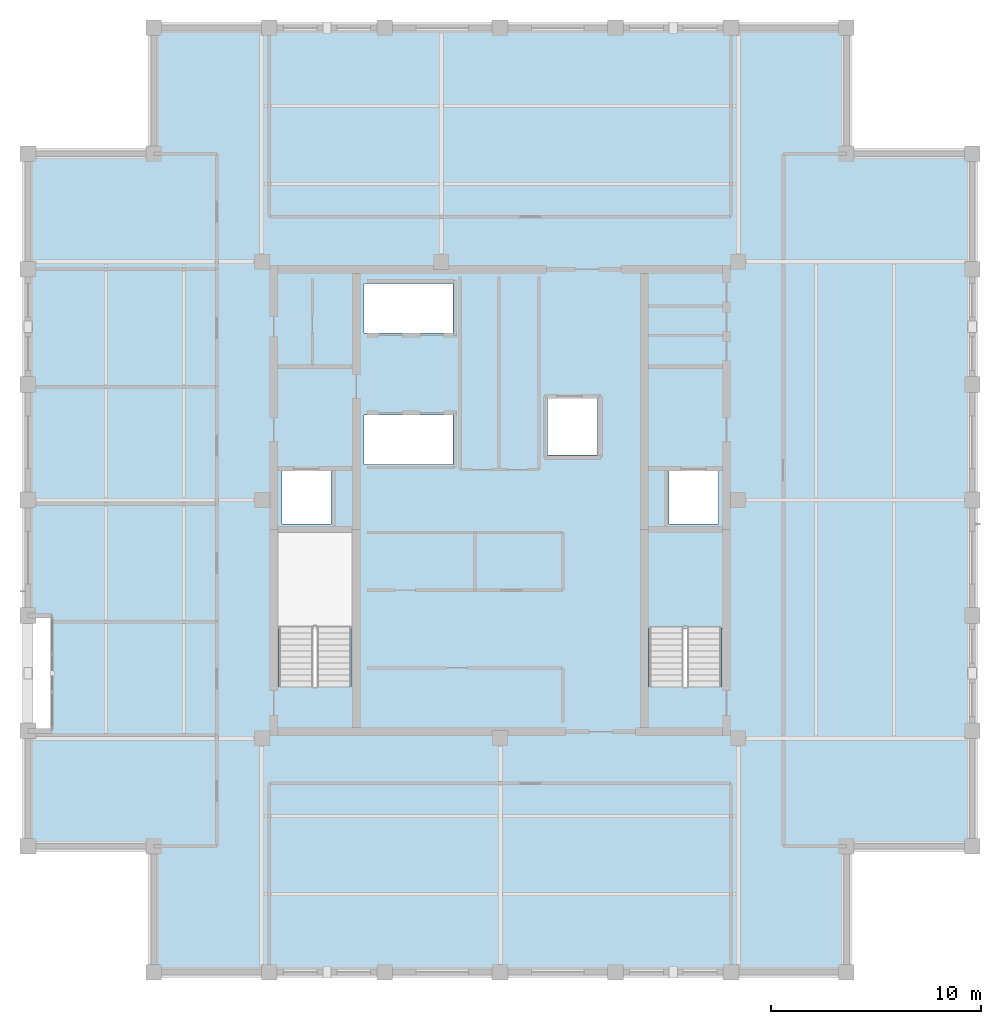
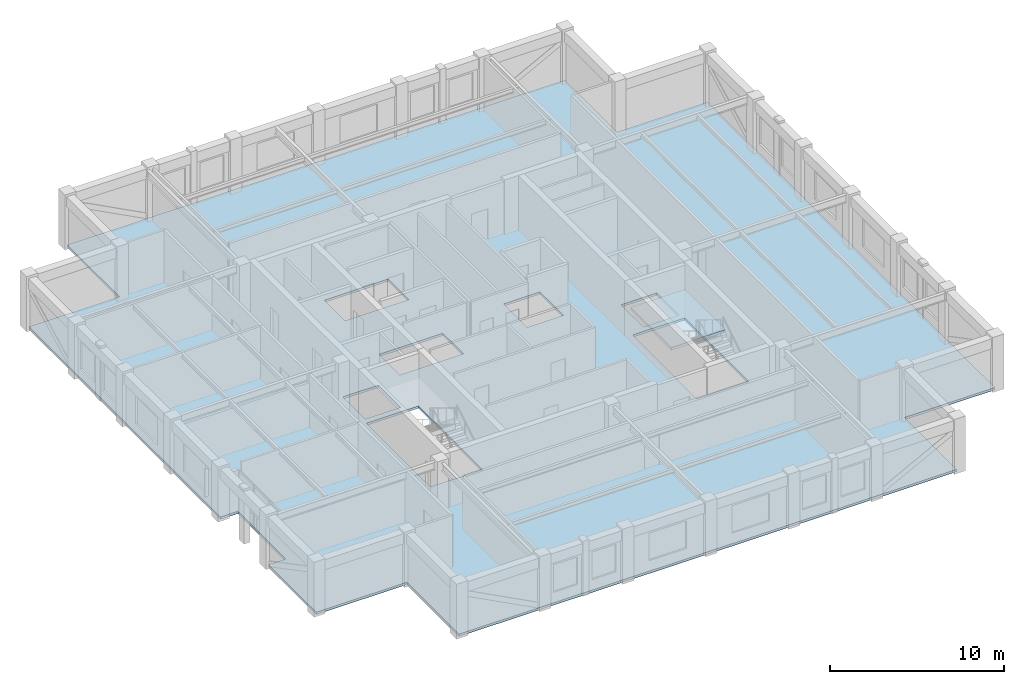
# One storey, part 7 of 13: 2 slabs, 1 element without a shape of its own.
"""IFC4 building model written with IfcOpenShell, lengths in metres."""

from ifc_helpers import new_model, si_unit, direction, frame, origin, place, context, subcontext, project, spatial, polyline, outline, extrude, material, layer, layer_set, type_object, element, aggregate, save


model = new_model("IFC4")

# Units and contexts
model_context = context("Model", 3, precision=1e-05, world=origin(), true_north=direction((0.0, 1.0)))
body_context = subcontext(model_context, "Body", "Model", "MODEL_VIEW")
ifc_project = project(units=[si_unit("LENGTHUNIT", "METRE"), si_unit("AREAUNIT", "SQUARE_METRE"), si_unit("VOLUMEUNIT", "CUBIC_METRE"), si_unit("PLANEANGLEUNIT", "RADIAN"), si_unit("MASSUNIT", "GRAM", prefix="KILO")], contexts=[model_context])

# Site, building, storey
site_placement = place(None, origin())
site = spatial("IfcSite", under=ifc_project, at=site_placement, CompositionType="ELEMENT")
building_placement = place(site_placement, origin())
building = spatial("IfcBuilding", under=site, at=building_placement, Name="Nhamokura Convention Tower", CompositionType="ELEMENT")
storey_placement = place(building_placement, frame((0.0, 0.0, 300.64990234375)))
storey = spatial("IfcBuildingStorey", under=building, at=storey_placement, Name="L74", CompositionType="ELEMENT", Elevation=300.64990234375)

# Slab
ifc_material_1 = material(Name="Concrete C40/50", Category="concrete")
ifc_layer_1 = layer(ifc_material_1, 0.1650390625)
ifc_layer_set_1 = layer_set([ifc_layer_1], Name="OfficeFloorSlab_165")
slab_type_1 = type_object("IfcSlabType", Name="OfficeFloorSlab_165", PredefinedType="FLOOR", material=ifc_layer_set_1)
slab_1_placement = place(storey_placement, frame((0.0, 0.0, -0.164794921875)))
element("IfcSlab", 1, at=slab_1_placement, inside=storey, type_object=slab_type_1, Name="L74 Structural Floor Slab", PredefinedType="FLOOR", context=body_context, shape_type="SweptSolid", body=[
    extrude(outline(polyline([(15.5, 9.5), (48.5, 9.5), (48.5, 15.5), (54.5, 15.5), (54.5, 48.5), (48.5, 48.5), (48.5, 54.5), (15.5, 54.5), (15.5, 48.5), (9.5, 48.5), (9.5, 26.5), (10.64990234375, 26.5), (10.64990234375, 21.0), (9.5, 21.0), (9.5, 15.5), (15.5, 15.5), (15.5, 9.5)]), holes=[polyline([(24.89990234375, 23.10009765625), (24.89990234375, 30.449951171875), (21.449951171875, 30.449951171875), (21.449951171875, 23.10009765625), (24.89990234375, 23.10009765625)]), polyline([(42.550048828125, 23.10009765625), (42.550048828125, 30.449951171875), (39.10009765625, 30.449951171875), (39.10009765625, 23.10009765625), (42.550048828125, 23.10009765625)]), polyline([(21.60009765625, 30.85009765625), (23.949951171875, 30.85009765625), (23.949951171875, 33.39990234375), (21.60009765625, 33.39990234375), (21.60009765625, 30.85009765625)]), polyline([(40.050048828125, 30.85009765625), (42.39990234375, 30.85009765625), (42.39990234375, 33.39990234375), (40.050048828125, 33.39990234375), (40.050048828125, 30.85009765625)]), polyline([(34.25, 34.14990234375), (36.64990234375, 34.14990234375), (36.64990234375, 36.85009765625), (34.25, 36.85009765625), (34.25, 34.14990234375)]), polyline([(25.52001953125, 33.679931640625), (29.75, 33.679931640625), (29.75, 36.050048828125), (25.52001953125, 36.050048828125), (25.52001953125, 33.679931640625)]), polyline([(25.52001953125, 39.949951171875), (29.75, 39.949951171875), (29.75, 42.320068359375), (25.52001953125, 42.320068359375), (25.52001953125, 39.949951171875)])]), origin(), (0.0, 0.0, 1.0), 0.164794921875),
])

# Stair, slab
ifc_material_2 = material(Name="Concrete C40/50", Category="concrete")
stair_type = type_object("IfcStairType", Name="TowerCoreStair_1650", PredefinedType="HALF_TURN_STAIR", material=ifc_material_2)
stair_placement = place(storey_placement, origin())
stair = element("IfcStair", 2, at=stair_placement, inside=storey, type_object=stair_type, Name="L74 East Core Smokeproof Stair ST-02", PredefinedType="HALF_TURN_STAIR")
ifc_material_3 = material(Name="Concrete C40/50", Category="concrete")
ifc_layer_2 = layer(ifc_material_3, 0.199951171875)
ifc_layer_set_2 = layer_set([ifc_layer_2], Name="StairLandingSlab_200")
slab_type_2 = type_object("IfcSlabType", Name="StairLandingSlab_200", PredefinedType="LANDING", material=ifc_layer_set_2)
slab_2_placement = place(storey_placement, frame((0.0, 0.0, 1.72509765625)))
slab_2 = element("IfcSlab", 3, at=slab_2_placement, type_object=slab_type_2, Name="ST-02 landing 1", PredefinedType="LANDING", context=body_context, shape_type="SweptSolid", body=[
    extrude(outline(polyline([(42.6298828125, 25.8701171875), (42.6298828125, 30.530029296875), (39.02001953125, 30.530029296875), (39.02001953125, 25.8701171875), (42.6298828125, 25.8701171875)])), origin(), (0.0, 0.0, 1.0), 0.199951171875),
])
aggregate(stair, [slab_2])

save(model, "model.ifc")
